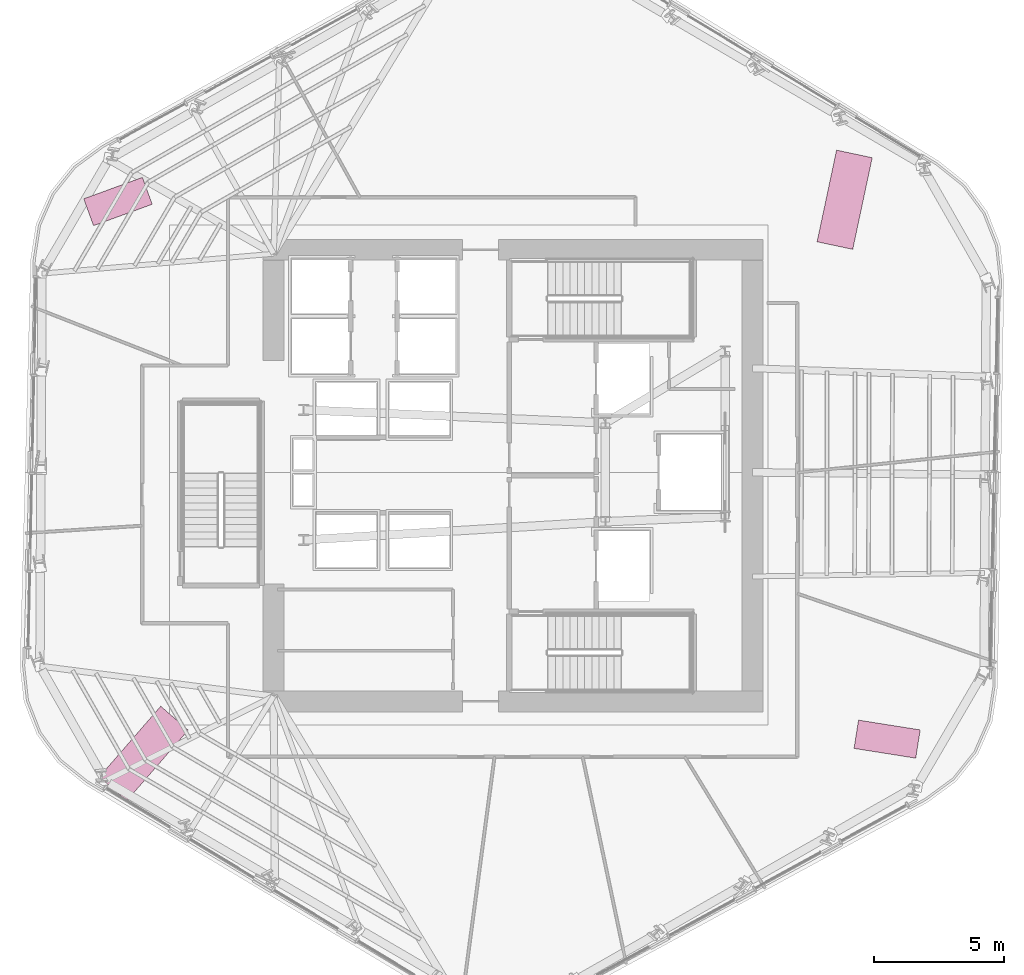
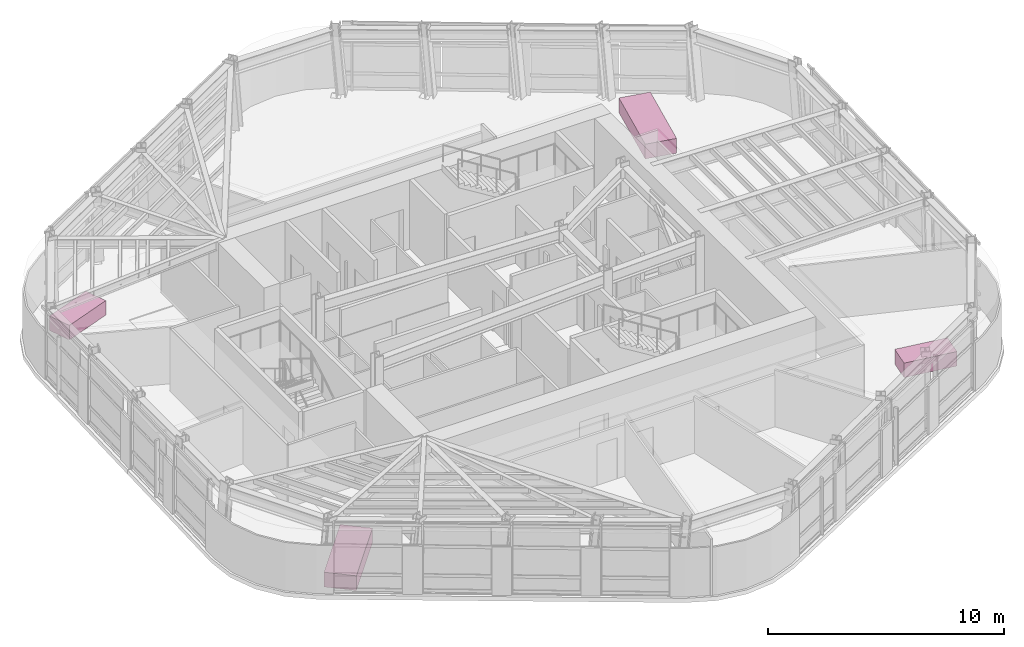
# One storey, part 14 of 14: 4 furniture elements.
"""IFC4 building model written with IfcOpenShell, lengths in metres."""

from ifc_helpers import new_model, si_unit, direction, frame, origin, origin_2d, place, context, subcontext, project, spatial, rectangle, extrude, material, type_object, element, save


model = new_model("IFC4")

# Units and contexts
model_context = context("Model", 3, precision=1e-05, world=origin(), true_north=direction((0.0, 1.0)))
body_context = subcontext(model_context, "Body", "Model", "MODEL_VIEW")
ifc_project = project(units=[si_unit("LENGTHUNIT", "METRE"), si_unit("AREAUNIT", "SQUARE_METRE"), si_unit("VOLUMEUNIT", "CUBIC_METRE"), si_unit("PLANEANGLEUNIT", "RADIAN"), si_unit("MASSUNIT", "GRAM", prefix="KILO")], contexts=[model_context])

# Site, building, storey
site_placement = place(None, origin())
site = spatial("IfcSite", under=ifc_project, at=site_placement, CompositionType="ELEMENT")
building_placement = place(site_placement, origin())
building = spatial("IfcBuilding", under=site, at=building_placement, Name="Valkerne Bourse Tower", CompositionType="ELEMENT")
storey_placement = place(building_placement, frame((0.0, 0.0, 147.60009765625)))
storey = spatial("IfcBuildingStorey", under=building, at=storey_placement, Name="L37", CompositionType="ELEMENT", Elevation=147.60009765625)

# Furniture
ifc_material = material(Name="Architectural White Oak Timber", Category="wood")
furniture_type_1 = type_object("IfcFurnitureType", Name="FURN-CONF-3600", AssemblyPlace="NOTDEFINED", PredefinedType="TABLE", material=ifc_material)
for number, where, z_axis, x_axis, name in (
    (1, (32.60791015625, 16.195068359375, 0.044921875), (0.0, 0.0, 1.0), (0.656059028991, 0.754709580223, 0.0), "L37 Suite Worktable 10"),
    (2, (59.5419921875, 37.47509765625, 0.044921875), (0.0, 0.0, 1.0), (0.207911690818, 0.978147600734, 0.0), "L37 Suite Worktable 11"),
):
    element("IfcFurniture", number, at=place(storey_placement, frame(where, z_axis=z_axis, x_axis=x_axis)), inside=storey, type_object=furniture_type_1, Name=name, PredefinedType="TABLE", context=body_context, shape_type="SweptSolid", body=[
        extrude(rectangle(XDim=3.60009765625, YDim=1.39990234375, at=origin_2d()), origin(), (0.0, 0.0, 1.0), 0.760009765625),
    ])
furniture_type_2 = type_object("IfcFurnitureType", Name="FURN-DESK-2400", AssemblyPlace="NOTDEFINED", PredefinedType="DESK", material=ifc_material)
for number, where, z_axis, x_axis, name in (
    (3, (61.174072265625, 16.7470703125, 0.044921875), (0.0, 0.0, 1.0), (-0.987688340595, 0.15643446504, 0.0), "L37 Suite Worktable 08"),
    (4, (31.616943359375, 37.406005859375, 0.044921875), (0.0, 0.0, 1.0), (0.939692620786, 0.342020143326, 0.0), "L37 Suite Worktable 09"),
):
    element("IfcFurniture", number, at=place(storey_placement, frame(where, z_axis=z_axis, x_axis=x_axis)), inside=storey, type_object=furniture_type_2, Name=name, PredefinedType="DESK", context=body_context, shape_type="SweptSolid", body=[
        extrude(rectangle(XDim=2.39990234375, YDim=1.10009765625, at=origin_2d()), origin(), (0.0, 0.0, 1.0), 0.75),
    ])

save(model, "model.ifc")
